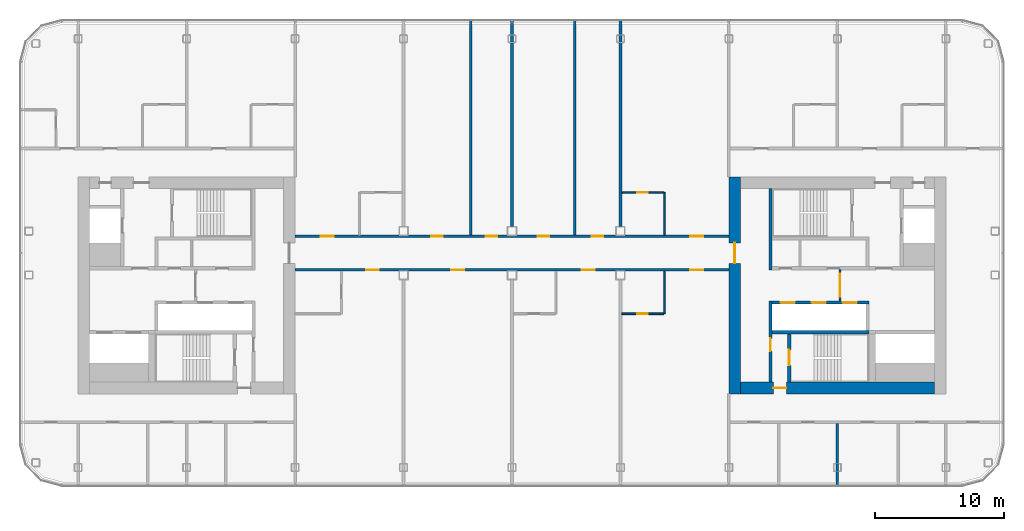
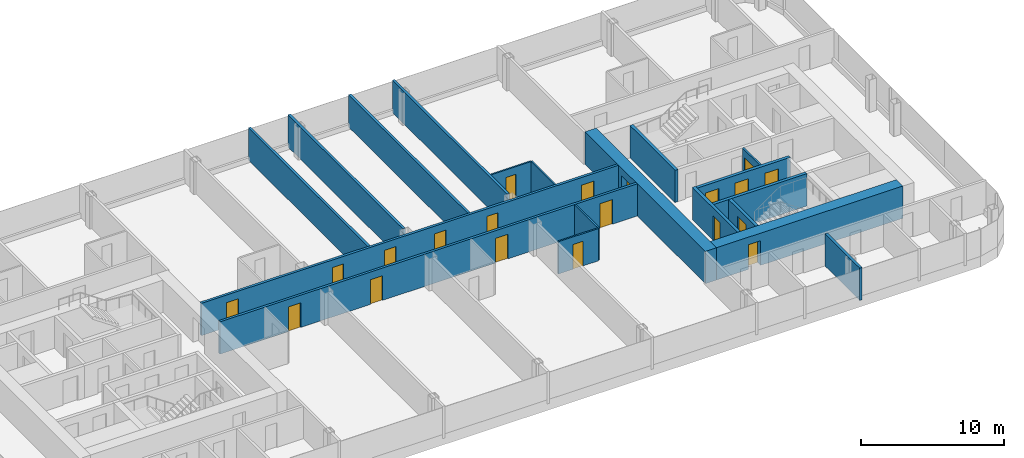
# One storey, part 15 of 25: 20 doors, 19 walls, 20 openings.
"""IFC4 building model written with IfcOpenShell, lengths in metres."""

from ifc_helpers import new_model, si_unit, direction, frame, frame_2d, origin, place, context, subcontext, project, spatial, rectangle, extrude, material, layer, layer_set, type_object, element, fill, save


model = new_model("IFC4")

# Units and contexts
model_context = context("Model", 3, precision=1e-05, world=origin(), true_north=direction((0.0, 1.0)))
body_context = subcontext(model_context, "Body", "Model", "MODEL_VIEW")
ifc_project = project(units=[si_unit("LENGTHUNIT", "METRE"), si_unit("AREAUNIT", "SQUARE_METRE"), si_unit("VOLUMEUNIT", "CUBIC_METRE"), si_unit("PLANEANGLEUNIT", "RADIAN"), si_unit("MASSUNIT", "GRAM", prefix="KILO")], contexts=[model_context])

# Site, building, storey
site_placement = place(None, origin())
site = spatial("IfcSite", under=ifc_project, at=site_placement, CompositionType="ELEMENT")
building_placement = place(site_placement, origin())
building = spatial("IfcBuilding", under=site, at=building_placement, Name="Hakoniwa Tower and Hamabe Station Hall", CompositionType="ELEMENT")
storey_placement = place(building_placement, frame((0.0, 0.0, 186.60009765625)))
storey = spatial("IfcBuildingStorey", under=building, at=storey_placement, Name="L52", CompositionType="ELEMENT", Elevation=186.60009765625)

# Wall, opening, door
ifc_material_1 = material(Name="Gypsum board partition", Category="gypsum")
ifc_layer_1 = layer(ifc_material_1, 0.125)
ifc_layer_set_1 = layer_set([ifc_layer_1], Name="Bathroom Partition 125")
wall_type_1 = type_object("IfcWallType", Name="Bathroom Partition 125", PredefinedType="PARTITIONING", material=ifc_layer_set_1)
wall_1_placement = place(storey_placement, frame((8.5, -2.199951171875, 0.0), z_axis=(0.0, 0.0, 1.0), x_axis=(1.0, 0.0, 0.0)))
wall_1 = element("IfcWall", 1, at=wall_1_placement, inside=storey, type_object=wall_type_1, Name="GW-L52-005", PredefinedType="PARTITIONING", context=body_context, shape_type="SweptSolid", body=[
    extrude(rectangle(XDim=3.237548828125, YDim=0.125, at=frame_2d((1.61865234375, 0.0))), origin(), (0.0, 0.0, 1.0), 2.75),
])
opening_1_placement = place(wall_1_placement, frame((1.199951171875, 0.0, 0.0)))
opening_1 = element("IfcOpeningElement", 2, at=opening_1_placement, cuts=wall_1, Name="Opening GD-G4A0-12", PredefinedType="OPENING", context=body_context, shape_type="SweptSolid", body=[
    extrude(rectangle(XDim=0.800048828125, YDim=2.10009765625, at=frame_2d((0.39990234375, 1.050048828125))), frame((0.0, 0.072509765625, 0.0), z_axis=(0.0, -1.0, 0.0), x_axis=(1.0, 0.0, 0.0)), (0.0, 0.0, 1.0), 0.14501953125),
])
ifc_material_2 = material(Name="Timber door leaf", Category="wood")
door_type_1 = type_object("IfcDoorType", Name="Bathroom Door 800", OperationType="SINGLE_SWING_LEFT", PredefinedType="DOOR", material=ifc_material_2)
door_1_placement = place(opening_1_placement, origin())
door_1 = element("IfcDoor", 3, at=door_1_placement, inside=storey, type_object=door_type_1, Name="Door GD-G4A0-12", OperationType="SINGLE_SWING_LEFT", OverallHeight=2.10009765625, OverallWidth=0.800048828125, PredefinedType="DOOR", context=body_context, shape_type="SweptSolid", body=[
    extrude(rectangle(XDim=0.800048828125, YDim=2.10009765625, at=frame_2d((0.39990234375, 1.050048828125))), frame((0.0, 0.02490234375, 0.0), z_axis=(0.0, -1.0, 0.0), x_axis=(1.0, 0.0, 0.0)), (0.0, 0.0, 1.0), 0.050048828125),
])
fill(opening_1, door_1)

wall_2_placement = place(storey_placement, frame((8.5, 7.199951171875, 0.0), z_axis=(0.0, 0.0, 1.0), x_axis=(1.0, 0.0, 0.0)))
wall_2 = element("IfcWall", 4, at=wall_2_placement, inside=storey, type_object=wall_type_1, Name="GW-L52-009", PredefinedType="PARTITIONING", context=body_context, shape_type="SweptSolid", body=[
    extrude(rectangle(XDim=3.237548828125, YDim=0.125, at=frame_2d((1.61865234375, 0.0))), origin(), (0.0, 0.0, 1.0), 2.75),
])
opening_2_placement = place(wall_2_placement, frame((1.199951171875, 0.0, 0.0)))
opening_2 = element("IfcOpeningElement", 5, at=opening_2_placement, cuts=wall_2, Name="Opening GD-G4A0-24", PredefinedType="OPENING", context=body_context, shape_type="SweptSolid", body=[
    extrude(rectangle(XDim=0.800048828125, YDim=2.10009765625, at=frame_2d((0.39990234375, 1.050048828125))), frame((0.0, 0.072509765625, 0.0), z_axis=(0.0, -1.0, 0.0), x_axis=(1.0, 0.0, 0.0)), (0.0, 0.0, 1.0), 0.14501953125),
])
door_2_placement = place(opening_2_placement, origin())
door_2 = element("IfcDoor", 6, at=door_2_placement, inside=storey, type_object=door_type_1, Name="Door GD-G4A0-24", OperationType="SINGLE_SWING_LEFT", OverallHeight=2.10009765625, OverallWidth=0.800048828125, PredefinedType="DOOR", context=body_context, shape_type="SweptSolid", body=[
    extrude(rectangle(XDim=0.800048828125, YDim=2.10009765625, at=frame_2d((0.39990234375, 1.050048828125))), frame((0.0, 0.02490234375, 0.0), z_axis=(0.0, -1.0, 0.0), x_axis=(1.0, 0.0, 0.0)), (0.0, 0.0, 1.0), 0.050048828125),
])
fill(opening_2, door_2)

# Walls
for number, where, z_axis, x_axis, name in (
    (7, (11.800048828125, -2.199951171875, 0.0), (0.0, 0.0, 1.0), (0.0, 1.0, 0.0), "GW-L52-039"),
    (8, (11.800048828125, 3.89990234375, 0.0), (0.0, 0.0, 1.0), (0.0, 1.0, 0.0), "GW-L52-040"),
):
    element("IfcWall", number, at=place(storey_placement, frame(where, z_axis=z_axis, x_axis=x_axis)), inside=storey, type_object=wall_type_1, Name=name, PredefinedType="PARTITIONING", context=body_context, shape_type="SweptSolid", body=[
        extrude(rectangle(XDim=3.300048828125, YDim=0.125, at=frame_2d((1.64990234375, 0.0))), origin(), (0.0, 0.0, 1.0), 2.75),
    ])

# Wall, opening, door
ifc_material_3 = material(Name="Gypsum board partition")
ifc_layer_2 = layer(ifc_material_3, 0.14990234375)
ifc_layer_set_2 = layer_set([ifc_layer_2], Name="CORE PARTITION 150 EI 60")
wall_type_2 = type_object("IfcWallType", Name="CORE PARTITION 150 EI 60", PredefinedType="PARTITIONING", material=ifc_layer_set_2)
wall_3_placement = place(storey_placement, frame((25.39990234375, -1.199951171875, 0.0), z_axis=(0.0, 0.0, 1.0), x_axis=(0.0, 1.0, 0.0)))
wall_3 = element("IfcWall", 9, at=wall_3_placement, inside=storey, type_object=wall_type_2, Name="Core partition PL0 east", PredefinedType="PARTITIONING", context=body_context, shape_type="SweptSolid", body=[
    extrude(rectangle(XDim=2.39990234375, YDim=0.14990234375, at=frame_2d((1.199951171875, 0.0))), origin(), (0.0, 0.0, 1.0), 2.75),
])
opening_3_placement = place(wall_3_placement, frame((0.300048828125, 0.0, 0.0)))
opening_3 = element("IfcOpeningElement", 10, at=opening_3_placement, cuts=wall_3, Name="Opening CD-E-LP0-18", PredefinedType="OPENING", context=body_context, shape_type="SweptSolid", body=[
    extrude(rectangle(XDim=1.800048828125, YDim=2.10009765625, at=frame_2d((0.89990234375, 1.050048828125))), frame((0.0, 0.0849609375, 0.0), z_axis=(0.0, -1.0, 0.0), x_axis=(1.0, 0.0, 0.0)), (0.0, 0.0, 1.0), 0.169921875),
])
ifc_material_4 = material(Name="Steel fire door", Category="steel")
door_type_2 = type_object("IfcDoorType", Name="CORE DOOR 1800 FD60", OperationType="DOUBLE_DOOR_SINGLE_SWING", PredefinedType="DOOR", material=ifc_material_4)
door_3_placement = place(opening_3_placement, origin())
door_3 = element("IfcDoor", 11, at=door_3_placement, inside=storey, type_object=door_type_2, Name="Lift lobby partition door", OperationType="DOUBLE_DOOR_SINGLE_SWING", OverallHeight=2.10009765625, OverallWidth=1.800048828125, PredefinedType="DOOR", context=body_context, shape_type="SweptSolid", body=[
    extrude(rectangle(XDim=1.800048828125, YDim=2.10009765625, at=frame_2d((0.89990234375, 1.050048828125))), frame((0.0, 0.02490234375, 0.0), z_axis=(0.0, -1.0, 0.0), x_axis=(1.0, 0.0, 0.0)), (0.0, 0.0, 1.0), 0.050048828125),
])
fill(opening_3, door_3)

ifc_material_5 = material(Name="Concrete C60", Category="concrete")
ifc_layer_3 = layer(ifc_material_5, 0.89990234375)
ifc_layer_set_3 = layer_set([ifc_layer_3], Name="CORE WALL 900 C60")
wall_type_3 = type_object("IfcWallType", Name="CORE WALL 900 C60", PredefinedType="SHEAR", material=ifc_layer_set_3)
wall_4_placement = place(storey_placement, frame((17.25, -8.39990234375, 0.0), z_axis=(0.0, 0.0, 1.0), x_axis=(0.0, 1.0, 0.0)))
wall_4 = element("IfcWall", 12, at=wall_4_placement, inside=storey, type_object=wall_type_3, Name="Core wall INNER east", PredefinedType="SHEAR", context=body_context, shape_type="SweptSolid", body=[
    extrude(rectangle(XDim=16.7998046875, YDim=0.89990234375, at=frame_2d((8.39990234375, 0.0))), origin(), (0.0, 0.0, 1.0), 2.75),
])
opening_4_placement = place(wall_4_placement, frame((10.10009765625, 0.0, 0.0)))
opening_4 = element("IfcOpeningElement", 13, at=opening_4_placement, cuts=wall_4, Name="Opening CD-E-IN1-16", PredefinedType="OPENING", context=body_context, shape_type="SweptSolid", body=[
    extrude(rectangle(XDim=1.60009765625, YDim=2.10009765625, at=frame_2d((0.800048828125, 1.050048828125))), frame((0.0, 0.4599609375, 0.0), z_axis=(0.0, -1.0, 0.0), x_axis=(1.0, 0.0, 0.0)), (0.0, 0.0, 1.0), 0.919921875),
])
ifc_material_6 = material(Name="Steel fire door", Category="steel")
door_type_3 = type_object("IfcDoorType", Name="CORE DOOR 1600 FD60", OperationType="DOUBLE_DOOR_SINGLE_SWING", PredefinedType="DOOR", material=ifc_material_6)
door_4_placement = place(opening_4_placement, origin())
door_4 = element("IfcDoor", 14, at=door_4_placement, inside=storey, type_object=door_type_3, Name="Lift lobby door", OperationType="DOUBLE_DOOR_SINGLE_SWING", OverallHeight=2.10009765625, OverallWidth=1.60009765625, PredefinedType="DOOR", context=body_context, shape_type="SweptSolid", body=[
    extrude(rectangle(XDim=1.60009765625, YDim=2.10009765625, at=frame_2d((0.800048828125, 1.050048828125))), frame((0.0, 0.02490234375, 0.0), z_axis=(0.0, -1.0, 0.0), x_axis=(1.0, 0.0, 0.0)), (0.0, 0.0, 1.0), 0.050048828125),
])
fill(opening_4, door_4)

wall_5_placement = place(storey_placement, frame((17.699951171875, -7.949951171875, 0.0), z_axis=(0.0, 0.0, 1.0), x_axis=(1.0, 0.0, 0.0)))
wall_5 = element("IfcWall", 15, at=wall_5_placement, inside=storey, type_object=wall_type_3, Name="Core wall SOUTH east", PredefinedType="SHEAR", context=body_context, shape_type="SweptSolid", body=[
    extrude(rectangle(XDim=15.0, YDim=0.89990234375, at=frame_2d((7.5, 0.0))), origin(), (0.0, 0.0, 1.0), 2.75),
])
opening_5_placement = place(wall_5_placement, frame((2.550048828125, 0.0, 0.0)))
opening_5 = element("IfcOpeningElement", 16, at=opening_5_placement, cuts=wall_5, Name="Opening CD-E-FS3-10", PredefinedType="OPENING", context=body_context, shape_type="SweptSolid", body=[
    extrude(rectangle(XDim=1.0, YDim=2.10009765625, at=frame_2d((0.5, 1.050048828125))), frame((0.0, 0.4599609375, 0.0), z_axis=(0.0, -1.0, 0.0), x_axis=(1.0, 0.0, 0.0)), (0.0, 0.0, 1.0), 0.919921875),
])
ifc_material_7 = material(Name="Steel fire door", Category="steel")
door_type_4 = type_object("IfcDoorType", Name="CORE DOOR 1000 FD60", OperationType="NOTDEFINED", PredefinedType="DOOR", material=ifc_material_7)
door_5_placement = place(opening_5_placement, origin())
door_5 = element("IfcDoor", 17, at=door_5_placement, inside=storey, type_object=door_type_4, Name="Stair vestibule door", OperationType="SINGLE_SWING_RIGHT", OverallHeight=2.10009765625, OverallWidth=1.0, PredefinedType="DOOR", context=body_context, shape_type="SweptSolid", body=[
    extrude(rectangle(XDim=1.0, YDim=2.10009765625, at=frame_2d((0.5, 1.050048828125))), frame((0.0, 0.02490234375, 0.0), z_axis=(0.0, -1.0, 0.0), x_axis=(1.0, 0.0, 0.0)), (0.0, 0.0, 1.0), 0.050048828125),
])
fill(opening_5, door_5)

# Wall
ifc_material_8 = material(Name="Concrete C60", Category="concrete")
ifc_layer_4 = layer(ifc_material_8, 0.25)
ifc_layer_set_4 = layer_set([ifc_layer_4], Name="CORE WEB WALL 250 C60")
wall_type_4 = type_object("IfcWallType", Name="CORE WEB WALL 250 C60", PredefinedType="SHEAR", material=ifc_layer_set_4)
wall_6_placement = place(storey_placement, frame((20.02490234375, 1.199951171875, 0.0), z_axis=(0.0, 0.0, 1.0), x_axis=(0.0, 1.0, 0.0)))
element("IfcWall", 18, at=wall_6_placement, inside=storey, type_object=wall_type_4, Name="Core wall W1N east", PredefinedType="SHEAR", context=body_context, shape_type="SweptSolid", body=[
    extrude(rectangle(XDim=6.300048828125, YDim=0.25, at=frame_2d((3.14990234375, 0.0))), origin(), (0.0, 0.0, 1.0), 2.75),
])

# Wall, opening, door
wall_7_placement = place(storey_placement, frame((20.02490234375, -7.5, 0.0), z_axis=(0.0, 0.0, 1.0), x_axis=(0.0, 1.0, 0.0)))
wall_7 = element("IfcWall", 19, at=wall_7_placement, inside=storey, type_object=wall_type_4, Name="Core wall W1S east", PredefinedType="SHEAR", context=body_context, shape_type="SweptSolid", body=[
    extrude(rectangle(XDim=6.300048828125, YDim=0.25, at=frame_2d((3.14990234375, 0.0))), origin(), (0.0, 0.0, 1.0), 2.75),
])
opening_6_placement = place(wall_7_placement, frame((2.39990234375, 0.0, 0.0)))
opening_6 = element("IfcOpeningElement", 20, at=opening_6_placement, cuts=wall_7, Name="Opening CD-E-VS-10", PredefinedType="OPENING", context=body_context, shape_type="SweptSolid", body=[
    extrude(rectangle(XDim=1.0, YDim=2.10009765625, at=frame_2d((0.5, 1.050048828125))), frame((0.0, 0.135009765625, 0.0), z_axis=(0.0, -1.0, 0.0), x_axis=(1.0, 0.0, 0.0)), (0.0, 0.0, 1.0), 0.27001953125),
])
door_6_placement = place(opening_6_placement, origin())
door_6 = element("IfcDoor", 21, at=door_6_placement, inside=storey, type_object=door_type_4, Name="Stair vestibule door", OperationType="SINGLE_SWING_RIGHT", OverallHeight=2.10009765625, OverallWidth=1.0, PredefinedType="DOOR", context=body_context, shape_type="SweptSolid", body=[
    extrude(rectangle(XDim=1.0, YDim=2.10009765625, at=frame_2d((0.5, 1.050048828125))), frame((0.0, 0.02490234375, 0.0), z_axis=(0.0, -1.0, 0.0), x_axis=(1.0, 0.0, 0.0)), (0.0, 0.0, 1.0), 0.050048828125),
])
fill(opening_6, door_6)

# Wall, openings, doors
wall_8_placement = place(storey_placement, frame((20.14990234375, -1.324951171875, 0.0), z_axis=(0.0, 0.0, 1.0), x_axis=(1.0, 0.0, 0.0)))
wall_8 = element("IfcWall", 22, at=wall_8_placement, inside=storey, type_object=wall_type_4, Name="Core wall SF east", PredefinedType="SHEAR", context=body_context, shape_type="SweptSolid", body=[
    extrude(rectangle(XDim=7.5, YDim=0.25, at=frame_2d((3.75, 0.0))), origin(), (0.0, 0.0, 1.0), 2.75),
])
opening_7_placement = place(wall_8_placement, frame((0.64990234375, 0.0, 0.0)))
opening_7 = element("IfcOpeningElement", 23, at=opening_7_placement, cuts=wall_8, Name="Opening LD-HR4", PredefinedType="OPENING", context=body_context, shape_type="SweptSolid", body=[
    extrude(rectangle(XDim=1.10009765625, YDim=2.10009765625, at=frame_2d((0.550048828125, 1.050048828125))), frame((0.0, 0.135009765625, 0.0), z_axis=(0.0, -1.0, 0.0), x_axis=(1.0, 0.0, 0.0)), (0.0, 0.0, 1.0), 0.27001953125),
])
opening_8_placement = place(wall_8_placement, frame((3.050048828125, 0.0, 0.0)))
opening_8 = element("IfcOpeningElement", 24, at=opening_8_placement, cuts=wall_8, Name="Opening LD-HR5", PredefinedType="OPENING", context=body_context, shape_type="SweptSolid", body=[
    extrude(rectangle(XDim=1.10009765625, YDim=2.10009765625, at=frame_2d((0.550048828125, 1.050048828125))), frame((0.0, 0.135009765625, 0.0), z_axis=(0.0, -1.0, 0.0), x_axis=(1.0, 0.0, 0.0)), (0.0, 0.0, 1.0), 0.27001953125),
])
opening_9_placement = place(wall_8_placement, frame((5.449951171875, 0.0, 0.0)))
opening_9 = element("IfcOpeningElement", 25, at=opening_9_placement, cuts=wall_8, Name="Opening LD-HR6", PredefinedType="OPENING", context=body_context, shape_type="SweptSolid", body=[
    extrude(rectangle(XDim=1.10009765625, YDim=2.10009765625, at=frame_2d((0.550048828125, 1.050048828125))), frame((0.0, 0.135009765625, 0.0), z_axis=(0.0, -1.0, 0.0), x_axis=(1.0, 0.0, 0.0)), (0.0, 0.0, 1.0), 0.27001953125),
])
ifc_material_9 = material(Name="Stainless steel SUS304", Category="steel")
door_type_5 = type_object("IfcDoorType", Name="LIFT LANDING DOOR 1100 FD60", OperationType="DOUBLE_DOOR_SLIDING", PredefinedType="DOOR", material=ifc_material_9)
door_7_placement = place(opening_7_placement, origin())
door_7 = element("IfcDoor", 26, at=door_7_placement, inside=storey, type_object=door_type_5, Name="Lift landing door HR4 L52", OperationType="DOUBLE_DOOR_SLIDING", OverallHeight=2.10009765625, OverallWidth=1.10009765625, PredefinedType="DOOR", context=body_context, shape_type="SweptSolid", body=[
    extrude(rectangle(XDim=1.10009765625, YDim=2.10009765625, at=frame_2d((0.550048828125, 1.050048828125))), frame((0.0, 0.02490234375, 0.0), z_axis=(0.0, -1.0, 0.0), x_axis=(1.0, 0.0, 0.0)), (0.0, 0.0, 1.0), 0.050048828125),
])
fill(opening_7, door_7)
door_8_placement = place(opening_8_placement, origin())
door_8 = element("IfcDoor", 27, at=door_8_placement, inside=storey, type_object=door_type_5, Name="Lift landing door HR5 L52", OperationType="DOUBLE_DOOR_SLIDING", OverallHeight=2.10009765625, OverallWidth=1.10009765625, PredefinedType="DOOR", context=body_context, shape_type="SweptSolid", body=[
    extrude(rectangle(XDim=1.10009765625, YDim=2.10009765625, at=frame_2d((0.550048828125, 1.050048828125))), frame((0.0, 0.02490234375, 0.0), z_axis=(0.0, -1.0, 0.0), x_axis=(1.0, 0.0, 0.0)), (0.0, 0.0, 1.0), 0.050048828125),
])
fill(opening_8, door_8)
door_9_placement = place(opening_9_placement, origin())
door_9 = element("IfcDoor", 28, at=door_9_placement, inside=storey, type_object=door_type_5, Name="Lift landing door HR6 L52", OperationType="DOUBLE_DOOR_SLIDING", OverallHeight=2.10009765625, OverallWidth=1.10009765625, PredefinedType="DOOR", context=body_context, shape_type="SweptSolid", body=[
    extrude(rectangle(XDim=1.10009765625, YDim=2.10009765625, at=frame_2d((0.550048828125, 1.050048828125))), frame((0.0, 0.02490234375, 0.0), z_axis=(0.0, -1.0, 0.0), x_axis=(1.0, 0.0, 0.0)), (0.0, 0.0, 1.0), 0.050048828125),
])
fill(opening_9, door_9)

# Wall
wall_9_placement = place(storey_placement, frame((20.14990234375, -3.625, 0.0), z_axis=(0.0, 0.0, 1.0), x_axis=(1.0, 0.0, 0.0)))
element("IfcWall", 29, at=wall_9_placement, inside=storey, type_object=wall_type_4, Name="Core wall SR east", PredefinedType="SHEAR", context=body_context, shape_type="SweptSolid", body=[
    extrude(rectangle(XDim=7.5, YDim=0.25, at=frame_2d((3.75, 0.0))), origin(), (0.0, 0.0, 1.0), 2.75),
])

# Wall, opening, door
wall_10_placement = place(storey_placement, frame((21.47509765625, -7.5, 0.0), z_axis=(0.0, 0.0, 1.0), x_axis=(0.0, 1.0, 0.0)))
wall_10 = element("IfcWall", 30, at=wall_10_placement, inside=storey, type_object=wall_type_4, Name="Core wall VE east", PredefinedType="SHEAR", context=body_context, shape_type="SweptSolid", body=[
    extrude(rectangle(XDim=3.75, YDim=0.25, at=frame_2d((1.875, 0.0))), origin(), (0.0, 0.0, 1.0), 2.75),
])
opening_10_placement = place(wall_10_placement, frame((1.300048828125, 0.0, 0.0)))
opening_10 = element("IfcOpeningElement", 31, at=opening_10_placement, cuts=wall_10, Name="Opening CD-E-SS-12", PredefinedType="OPENING", context=body_context, shape_type="SweptSolid", body=[
    extrude(rectangle(XDim=1.199951171875, YDim=2.10009765625, at=frame_2d((0.60009765625, 1.050048828125))), frame((0.0, 0.135009765625, 0.0), z_axis=(0.0, -1.0, 0.0), x_axis=(1.0, 0.0, 0.0)), (0.0, 0.0, 1.0), 0.27001953125),
])
ifc_material_10 = material(Name="Steel fire door", Category="steel")
door_type_6 = type_object("IfcDoorType", Name="CORE DOOR 1200 FD60", OperationType="DOUBLE_DOOR_SINGLE_SWING", PredefinedType="DOOR", material=ifc_material_10)
door_10_placement = place(opening_10_placement, origin())
door_10 = element("IfcDoor", 32, at=door_10_placement, inside=storey, type_object=door_type_6, Name="Escape stair door", OperationType="DOUBLE_DOOR_SINGLE_SWING", OverallHeight=2.10009765625, OverallWidth=1.199951171875, PredefinedType="DOOR", context=body_context, shape_type="SweptSolid", body=[
    extrude(rectangle(XDim=1.199951171875, YDim=2.10009765625, at=frame_2d((0.60009765625, 1.050048828125))), frame((0.0, 0.02490234375, 0.0), z_axis=(0.0, -1.0, 0.0), x_axis=(1.0, 0.0, 0.0)), (0.0, 0.0, 1.0), 0.050048828125),
])
fill(opening_10, door_10)

# Wall, openings, doors
ifc_material_11 = material(Name="Fire-rated gypsum board partition", Category="gypsum")
ifc_layer_5 = layer(ifc_material_11, 0.199951171875)
ifc_layer_set_5 = layer_set([ifc_layer_5], Name="Corridor Wall 200")
wall_type_5 = type_object("IfcWallType", Name="Corridor Wall 200", PredefinedType="PARTITIONING", material=ifc_layer_set_5)
wall_11_placement = place(storey_placement, frame((-16.800048828125, 1.199951171875, 0.0), z_axis=(0.0, 0.0, 1.0), x_axis=(1.0, 0.0, 0.0)))
wall_11 = element("IfcWall", 33, at=wall_11_placement, inside=storey, type_object=wall_type_5, Name="GW-L52-006", PredefinedType="PARTITIONING", context=body_context, shape_type="SweptSolid", body=[
    extrude(rectangle(XDim=33.60009765625, YDim=0.199951171875, at=frame_2d((16.800048828125, 0.0))), origin(), (0.0, 0.0, 1.0), 2.75),
])
opening_11_placement = place(wall_11_placement, frame((5.5, 0.0, 0.0)))
opening_11 = element("IfcOpeningElement", 34, at=opening_11_placement, cuts=wall_11, Name="Opening GD-G4A0-13", PredefinedType="OPENING", context=body_context, shape_type="SweptSolid", body=[
    extrude(rectangle(XDim=1.0, YDim=2.10009765625, at=frame_2d((0.5, 1.050048828125))), frame((0.0, 0.10986328125, 0.0), z_axis=(0.0, -1.0, 0.0), x_axis=(1.0, 0.0, 0.0)), (0.0, 0.0, 1.0), 0.219970703125),
])
opening_12_placement = place(wall_11_placement, frame((12.10009765625, 0.0, 0.0)))
opening_12 = element("IfcOpeningElement", 35, at=opening_12_placement, cuts=wall_11, Name="Opening GD-G4A0-14", PredefinedType="OPENING", context=body_context, shape_type="SweptSolid", body=[
    extrude(rectangle(XDim=1.0, YDim=2.10009765625, at=frame_2d((0.5, 1.050048828125))), frame((0.0, 0.10986328125, 0.0), z_axis=(0.0, -1.0, 0.0), x_axis=(1.0, 0.0, 0.0)), (0.0, 0.0, 1.0), 0.219970703125),
])
opening_13_placement = place(wall_11_placement, frame((22.199951171875, 0.0, 0.0)))
opening_13 = element("IfcOpeningElement", 36, at=opening_13_placement, cuts=wall_11, Name="Opening GD-G4A0-15", PredefinedType="OPENING", context=body_context, shape_type="SweptSolid", body=[
    extrude(rectangle(XDim=1.0, YDim=2.10009765625, at=frame_2d((0.5, 1.050048828125))), frame((0.0, 0.10986328125, 0.0), z_axis=(0.0, -1.0, 0.0), x_axis=(1.0, 0.0, 0.0)), (0.0, 0.0, 1.0), 0.219970703125),
])
opening_14_placement = place(wall_11_placement, frame((30.60009765625, 0.0, 0.0)))
opening_14 = element("IfcOpeningElement", 37, at=opening_14_placement, cuts=wall_11, Name="Opening GD-G4A0-16", PredefinedType="OPENING", context=body_context, shape_type="SweptSolid", body=[
    extrude(rectangle(XDim=1.0, YDim=2.10009765625, at=frame_2d((0.5, 1.050048828125))), frame((0.0, 0.10986328125, 0.0), z_axis=(0.0, -1.0, 0.0), x_axis=(1.0, 0.0, 0.0)), (0.0, 0.0, 1.0), 0.219970703125),
])
ifc_material_12 = material(Name="Timber door leaf", Category="wood")
door_type_7 = type_object("IfcDoorType", Name="Accessible Guest Entrance Door 1000", OperationType="SINGLE_SWING_LEFT", PredefinedType="DOOR", material=ifc_material_12)
door_11_placement = place(opening_11_placement, origin())
door_11 = element("IfcDoor", 38, at=door_11_placement, inside=storey, type_object=door_type_7, Name="Door GD-G4A0-13", OperationType="SINGLE_SWING_LEFT", OverallHeight=2.10009765625, OverallWidth=1.0, PredefinedType="DOOR", context=body_context, shape_type="SweptSolid", body=[
    extrude(rectangle(XDim=1.0, YDim=2.10009765625, at=frame_2d((0.5, 1.050048828125))), frame((0.0, 0.02490234375, 0.0), z_axis=(0.0, -1.0, 0.0), x_axis=(1.0, 0.0, 0.0)), (0.0, 0.0, 1.0), 0.050048828125),
])
fill(opening_11, door_11)
ifc_material_13 = material(Name="Timber door leaf", Category="wood")
door_type_8 = type_object("IfcDoorType", Name="Guest Entrance Door 1000", OperationType="SINGLE_SWING_LEFT", PredefinedType="DOOR", material=ifc_material_13)
door_12_placement = place(opening_12_placement, origin())
door_12 = element("IfcDoor", 39, at=door_12_placement, inside=storey, type_object=door_type_8, Name="Door GD-G4A0-14", OperationType="SINGLE_SWING_RIGHT", OverallHeight=2.10009765625, OverallWidth=1.0, PredefinedType="DOOR", context=body_context, shape_type="SweptSolid", body=[
    extrude(rectangle(XDim=1.0, YDim=2.10009765625, at=frame_2d((0.5, 1.050048828125))), frame((0.0, 0.02490234375, 0.0), z_axis=(0.0, -1.0, 0.0), x_axis=(1.0, 0.0, 0.0)), (0.0, 0.0, 1.0), 0.050048828125),
])
fill(opening_12, door_12)
door_13_placement = place(opening_13_placement, origin())
door_13 = element("IfcDoor", 40, at=door_13_placement, inside=storey, type_object=door_type_8, Name="Door GD-G4A0-15", OperationType="SINGLE_SWING_LEFT", OverallHeight=2.10009765625, OverallWidth=1.0, PredefinedType="DOOR", context=body_context, shape_type="SweptSolid", body=[
    extrude(rectangle(XDim=1.0, YDim=2.10009765625, at=frame_2d((0.5, 1.050048828125))), frame((0.0, 0.02490234375, 0.0), z_axis=(0.0, -1.0, 0.0), x_axis=(1.0, 0.0, 0.0)), (0.0, 0.0, 1.0), 0.050048828125),
])
fill(opening_13, door_13)
door_14_placement = place(opening_14_placement, origin())
door_14 = element("IfcDoor", 41, at=door_14_placement, inside=storey, type_object=door_type_8, Name="Door GD-G4A0-16", OperationType="SINGLE_SWING_RIGHT", OverallHeight=2.10009765625, OverallWidth=1.0, PredefinedType="DOOR", context=body_context, shape_type="SweptSolid", body=[
    extrude(rectangle(XDim=1.0, YDim=2.10009765625, at=frame_2d((0.5, 1.050048828125))), frame((0.0, 0.02490234375, 0.0), z_axis=(0.0, -1.0, 0.0), x_axis=(1.0, 0.0, 0.0)), (0.0, 0.0, 1.0), 0.050048828125),
])
fill(opening_14, door_14)

wall_12_placement = place(storey_placement, frame((-16.800048828125, 3.800048828125, 0.0), z_axis=(0.0, 0.0, 1.0), x_axis=(1.0, 0.0, 0.0)))
wall_12 = element("IfcWall", 42, at=wall_12_placement, inside=storey, type_object=wall_type_5, Name="GW-L52-007", PredefinedType="PARTITIONING", context=body_context, shape_type="SweptSolid", body=[
    extrude(rectangle(XDim=33.60009765625, YDim=0.199951171875, at=frame_2d((16.800048828125, 0.0))), origin(), (0.0, 0.0, 1.0), 2.75),
])
opening_15_placement = place(wall_12_placement, frame((2.0, 0.0, 0.0)))
opening_15 = element("IfcOpeningElement", 43, at=opening_15_placement, cuts=wall_12, Name="Opening GD-G4A0-17", PredefinedType="OPENING", context=body_context, shape_type="SweptSolid", body=[
    extrude(rectangle(XDim=1.0, YDim=2.10009765625, at=frame_2d((0.5, 1.050048828125))), frame((0.0, 0.10986328125, 0.0), z_axis=(0.0, -1.0, 0.0), x_axis=(1.0, 0.0, 0.0)), (0.0, 0.0, 1.0), 0.219970703125),
])
opening_16_placement = place(wall_12_placement, frame((10.554931640625, 0.0, 0.0)))
opening_16 = element("IfcOpeningElement", 44, at=opening_16_placement, cuts=wall_12, Name="Opening GD-G4A0-18", PredefinedType="OPENING", context=body_context, shape_type="SweptSolid", body=[
    extrude(rectangle(XDim=0.89990234375, YDim=2.10009765625, at=frame_2d((0.449951171875, 1.050048828125))), frame((0.0, 0.10986328125, 0.0), z_axis=(0.0, -1.0, 0.0), x_axis=(1.0, 0.0, 0.0)), (0.0, 0.0, 1.0), 0.219970703125),
])
opening_17_placement = place(wall_12_placement, frame((14.7548828125, 0.0, 0.0)))
opening_17 = element("IfcOpeningElement", 45, at=opening_17_placement, cuts=wall_12, Name="Opening GD-G4A0-19", PredefinedType="OPENING", context=body_context, shape_type="SweptSolid", body=[
    extrude(rectangle(XDim=0.89990234375, YDim=2.10009765625, at=frame_2d((0.449951171875, 1.050048828125))), frame((0.0, 0.10986328125, 0.0), z_axis=(0.0, -1.0, 0.0), x_axis=(1.0, 0.0, 0.0)), (0.0, 0.0, 1.0), 0.219970703125),
])
opening_18_placement = place(wall_12_placement, frame((18.784912109375, 0.0, 0.0)))
opening_18 = element("IfcOpeningElement", 46, at=opening_18_placement, cuts=wall_12, Name="Opening GD-G4A0-20", PredefinedType="OPENING", context=body_context, shape_type="SweptSolid", body=[
    extrude(rectangle(XDim=0.89990234375, YDim=2.10009765625, at=frame_2d((0.449951171875, 1.050048828125))), frame((0.0, 0.10986328125, 0.0), z_axis=(0.0, -1.0, 0.0), x_axis=(1.0, 0.0, 0.0)), (0.0, 0.0, 1.0), 0.219970703125),
])
opening_19_placement = place(wall_12_placement, frame((22.985107421875, 0.0, 0.0)))
opening_19 = element("IfcOpeningElement", 47, at=opening_19_placement, cuts=wall_12, Name="Opening GD-G4A0-21", PredefinedType="OPENING", context=body_context, shape_type="SweptSolid", body=[
    extrude(rectangle(XDim=0.89990234375, YDim=2.10009765625, at=frame_2d((0.449951171875, 1.050048828125))), frame((0.0, 0.10986328125, 0.0), z_axis=(0.0, -1.0, 0.0), x_axis=(1.0, 0.0, 0.0)), (0.0, 0.0, 1.0), 0.219970703125),
])
opening_20_placement = place(wall_12_placement, frame((30.60009765625, 0.0, 0.0)))
opening_20 = element("IfcOpeningElement", 48, at=opening_20_placement, cuts=wall_12, Name="Opening GD-G4A0-22", PredefinedType="OPENING", context=body_context, shape_type="SweptSolid", body=[
    extrude(rectangle(XDim=1.0, YDim=2.10009765625, at=frame_2d((0.5, 1.050048828125))), frame((0.0, 0.10986328125, 0.0), z_axis=(0.0, -1.0, 0.0), x_axis=(1.0, 0.0, 0.0)), (0.0, 0.0, 1.0), 0.219970703125),
])
door_15_placement = place(opening_15_placement, origin())
door_15 = element("IfcDoor", 49, at=door_15_placement, inside=storey, type_object=door_type_8, Name="Door GD-G4A0-17", OperationType="SINGLE_SWING_RIGHT", OverallHeight=2.10009765625, OverallWidth=1.0, PredefinedType="DOOR", context=body_context, shape_type="SweptSolid", body=[
    extrude(rectangle(XDim=1.0, YDim=2.10009765625, at=frame_2d((0.5, 1.050048828125))), frame((0.0, 0.02490234375, 0.0), z_axis=(0.0, -1.0, 0.0), x_axis=(1.0, 0.0, 0.0)), (0.0, 0.0, 1.0), 0.050048828125),
])
fill(opening_15, door_15)
door_16_placement = place(opening_20_placement, origin())
door_16 = element("IfcDoor", 50, at=door_16_placement, inside=storey, type_object=door_type_8, Name="Door GD-G4A0-22", OperationType="SINGLE_SWING_RIGHT", OverallHeight=2.10009765625, OverallWidth=1.0, PredefinedType="DOOR", context=body_context, shape_type="SweptSolid", body=[
    extrude(rectangle(XDim=1.0, YDim=2.10009765625, at=frame_2d((0.5, 1.050048828125))), frame((0.0, 0.02490234375, 0.0), z_axis=(0.0, -1.0, 0.0), x_axis=(1.0, 0.0, 0.0)), (0.0, 0.0, 1.0), 0.050048828125),
])
fill(opening_20, door_16)
ifc_material_14 = material(Name="Timber door leaf", Category="wood")
door_type_9 = type_object("IfcDoorType", Name="Service Door 900", OperationType="SINGLE_SWING_LEFT", PredefinedType="DOOR", material=ifc_material_14)
door_17_placement = place(opening_16_placement, origin())
door_17 = element("IfcDoor", 51, at=door_17_placement, inside=storey, type_object=door_type_9, Name="Door GD-G4A0-18", OperationType="SINGLE_SWING_LEFT", OverallHeight=2.10009765625, OverallWidth=0.89990234375, PredefinedType="DOOR", context=body_context, shape_type="SweptSolid", body=[
    extrude(rectangle(XDim=0.89990234375, YDim=2.10009765625, at=frame_2d((0.449951171875, 1.050048828125))), frame((0.0, 0.02490234375, 0.0), z_axis=(0.0, -1.0, 0.0), x_axis=(1.0, 0.0, 0.0)), (0.0, 0.0, 1.0), 0.050048828125),
])
fill(opening_16, door_17)
door_18_placement = place(opening_17_placement, origin())
door_18 = element("IfcDoor", 52, at=door_18_placement, inside=storey, type_object=door_type_9, Name="Door GD-G4A0-19", OperationType="SINGLE_SWING_RIGHT", OverallHeight=2.10009765625, OverallWidth=0.89990234375, PredefinedType="DOOR", context=body_context, shape_type="SweptSolid", body=[
    extrude(rectangle(XDim=0.89990234375, YDim=2.10009765625, at=frame_2d((0.449951171875, 1.050048828125))), frame((0.0, 0.02490234375, 0.0), z_axis=(0.0, -1.0, 0.0), x_axis=(1.0, 0.0, 0.0)), (0.0, 0.0, 1.0), 0.050048828125),
])
fill(opening_17, door_18)
door_19_placement = place(opening_18_placement, origin())
door_19 = element("IfcDoor", 53, at=door_19_placement, inside=storey, type_object=door_type_9, Name="Door GD-G4A0-20", OperationType="SINGLE_SWING_RIGHT", OverallHeight=2.10009765625, OverallWidth=0.89990234375, PredefinedType="DOOR", context=body_context, shape_type="SweptSolid", body=[
    extrude(rectangle(XDim=0.89990234375, YDim=2.10009765625, at=frame_2d((0.449951171875, 1.050048828125))), frame((0.0, 0.02490234375, 0.0), z_axis=(0.0, -1.0, 0.0), x_axis=(1.0, 0.0, 0.0)), (0.0, 0.0, 1.0), 0.050048828125),
])
fill(opening_18, door_19)
door_20_placement = place(opening_19_placement, origin())
door_20 = element("IfcDoor", 54, at=door_20_placement, inside=storey, type_object=door_type_9, Name="Door GD-G4A0-21", OperationType="SINGLE_SWING_RIGHT", OverallHeight=2.10009765625, OverallWidth=0.89990234375, PredefinedType="DOOR", context=body_context, shape_type="SweptSolid", body=[
    extrude(rectangle(XDim=0.89990234375, YDim=2.10009765625, at=frame_2d((0.449951171875, 1.050048828125))), frame((0.0, 0.02490234375, 0.0), z_axis=(0.0, -1.0, 0.0), x_axis=(1.0, 0.0, 0.0)), (0.0, 0.0, 1.0), 0.050048828125),
])
fill(opening_19, door_20)

# Walls
ifc_material_15 = material(Name="Fire-rated gypsum board partition", Category="gypsum")
ifc_layer_6 = layer(ifc_material_15, 0.199951171875)
ifc_layer_set_6 = layer_set([ifc_layer_6], Name="Party Wall 200")
wall_type_6 = type_object("IfcWallType", Name="Party Wall 200", PredefinedType="PARTITIONING", material=ifc_layer_set_6)
wall_13_placement = place(storey_placement, frame((-3.18994140625, 3.89990234375, 0.0), z_axis=(0.0, 0.0, 1.0), x_axis=(0.0, 1.0, 0.0)))
element("IfcWall", 55, at=wall_13_placement, inside=storey, type_object=wall_type_6, Name="GW-L52-032", PredefinedType="PARTITIONING", context=body_context, shape_type="SweptSolid", body=[
    extrude(rectangle(XDim=16.650146484375, YDim=0.199951171875, at=frame_2d((8.3251953125, 0.0))), origin(), (0.0, 0.0, 1.0), 2.75),
])
wall_14_placement = place(storey_placement, frame((0.0, 4.5400390625, 0.0), z_axis=(0.0, 0.0, 1.0), x_axis=(0.0, 1.0, 0.0)))
element("IfcWall", 56, at=wall_14_placement, inside=storey, type_object=wall_type_6, Name="GW-L52-034", PredefinedType="PARTITIONING", context=body_context, shape_type="SweptSolid", body=[
    extrude(rectangle(XDim=16.010009765625, YDim=0.199951171875, at=frame_2d((8.0048828125, 0.0))), origin(), (0.0, 0.0, 1.0), 2.75),
])
wall_15_placement = place(storey_placement, frame((4.8701171875, 3.89990234375, 0.0), z_axis=(0.0, 0.0, 1.0), x_axis=(0.0, 1.0, 0.0)))
element("IfcWall", 57, at=wall_15_placement, inside=storey, type_object=wall_type_6, Name="GW-L52-036", PredefinedType="PARTITIONING", context=body_context, shape_type="SweptSolid", body=[
    extrude(rectangle(XDim=16.650146484375, YDim=0.199951171875, at=frame_2d((8.3251953125, 0.0))), origin(), (0.0, 0.0, 1.0), 2.75),
])
wall_16_placement = place(storey_placement, frame((8.39990234375, 4.5400390625, 0.0), z_axis=(0.0, 0.0, 1.0), x_axis=(0.0, 1.0, 0.0)))
element("IfcWall", 58, at=wall_16_placement, inside=storey, type_object=wall_type_6, Name="GW-L52-038", PredefinedType="PARTITIONING", context=body_context, shape_type="SweptSolid", body=[
    extrude(rectangle(XDim=16.010009765625, YDim=0.199951171875, at=frame_2d((8.0048828125, 0.0))), origin(), (0.0, 0.0, 1.0), 2.75),
])
wall_17_placement = place(storey_placement, frame((25.199951171875, -15.550048828125, 0.0), z_axis=(0.0, 0.0, 1.0), x_axis=(0.0, 1.0, 0.0)))
element("IfcWall", 59, at=wall_17_placement, inside=storey, type_object=wall_type_6, Name="GW-L52-045", PredefinedType="PARTITIONING", context=body_context, shape_type="SweptSolid", body=[
    extrude(rectangle(XDim=4.85009765625, YDim=0.199951171875, at=frame_2d((2.425048828125, 0.0))), origin(), (0.0, 0.0, 1.0), 2.75),
])

save(model, "model.ifc")
